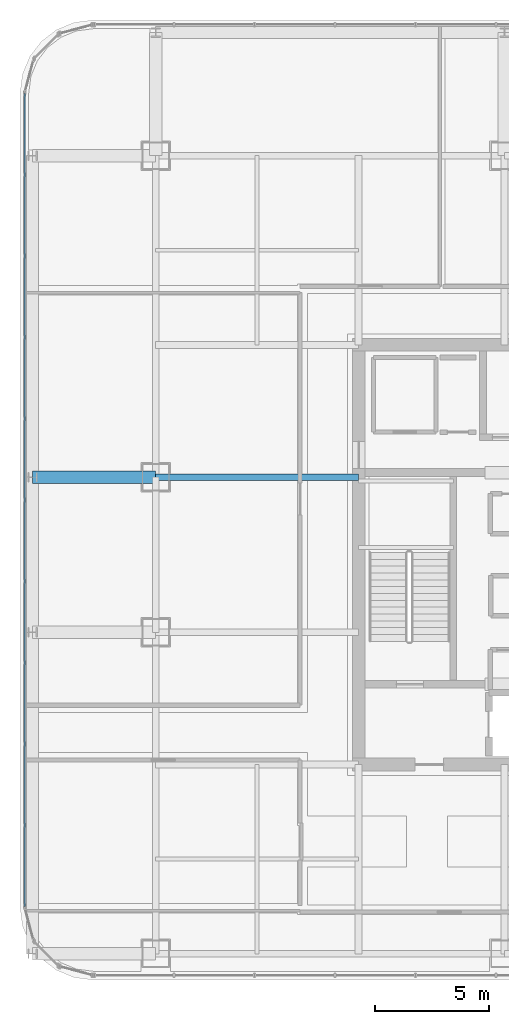
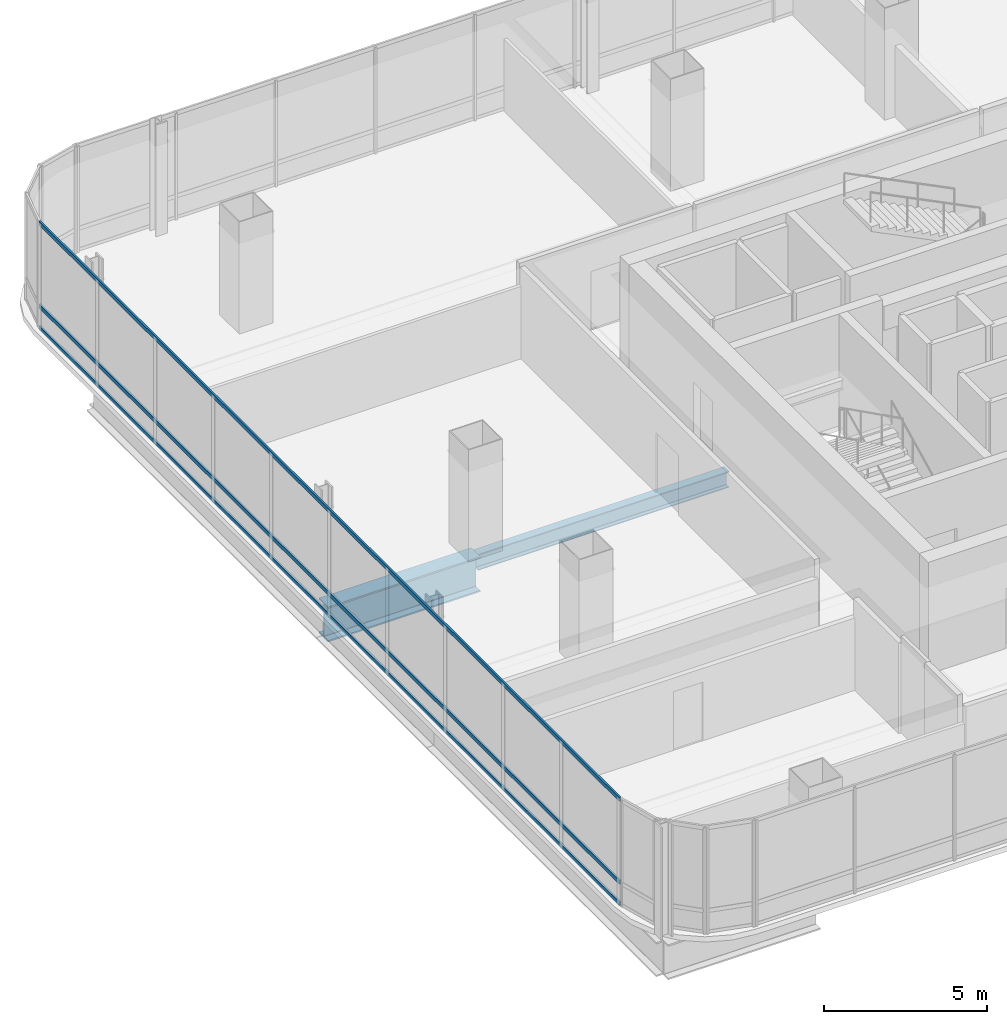
# One storey, part 12 of 41: 3 members, 2 beams, 1 element without a shape of its own.
"""IFC4 building model written with IfcOpenShell, lengths in metres."""

from ifc_helpers import new_model, si_unit, direction, frame, origin, origin_2d, place, context, subcontext, project, spatial, hollow_rectangle, i_section, extrude, material, material_profile, profile_set, type_object, element, aggregate, save


model = new_model("IFC4")

# Units and contexts
model_context = context("Model", 3, precision=1e-05, world=origin(), true_north=direction((0.0, 1.0)))
body_context = subcontext(model_context, "Body", "Model", "MODEL_VIEW")
ifc_project = project(units=[si_unit("LENGTHUNIT", "METRE"), si_unit("AREAUNIT", "SQUARE_METRE"), si_unit("VOLUMEUNIT", "CUBIC_METRE"), si_unit("PLANEANGLEUNIT", "RADIAN"), si_unit("MASSUNIT", "GRAM", prefix="KILO")], contexts=[model_context])

# Site, building, storey
site_placement = place(None, origin())
site = spatial("IfcSite", under=ifc_project, at=site_placement, CompositionType="ELEMENT")
building_placement = place(site_placement, origin())
building = spatial("IfcBuilding", under=site, at=building_placement, Name="Punatoya Terracotta Tower", CompositionType="ELEMENT")
storey_placement = place(building_placement, frame((0.0, 0.0, 288.0)))
storey = spatial("IfcBuildingStorey", under=building, at=storey_placement, Name="L68", CompositionType="ELEMENT", Elevation=288.0)

# Beams
ifc_material_1 = material(Name="Steel S355", Category="steel")
ifc_material_profile_1 = material_profile(ifc_material_1, i_section(OverallWidth=0.300048828125, OverallDepth=0.60009765625, WebThickness=0.015380859375, FlangeThickness=0.030029296875, FilletRadius=0.01806640625, at=origin_2d()))
ifc_profile_set_1 = profile_set([ifc_material_profile_1], Name="Steel S355")
beam_type_1 = type_object("IfcBeamType", Name="BM-PRI-600", PredefinedType="BEAM", material=ifc_profile_set_1)
beam_1_placement = place(storey_placement, frame((-19.10009765625, 3.39990234375, -0.5), z_axis=(1.0, 0.0, 0.0), x_axis=(0.0, 1.0, 0.0)))
element("IfcBeam", 1, at=beam_1_placement, inside=storey, type_object=beam_type_1, Name="BM-L68-PR-WE", PredefinedType="BEAM", context=body_context, shape_type="SweptSolid", body=[
    extrude(i_section(OverallWidth=0.300048828125, OverallDepth=0.60009765625, WebThickness=0.015380859375, FlangeThickness=0.030029296875, FilletRadius=0.01806640625, at=origin_2d()), origin(), (0.0, 0.0, 1.0), 8.900146484375),
])
ifc_material_2 = material(Name="Steel S460", Category="steel")
ifc_material_profile_2 = material_profile(ifc_material_2, i_section(OverallWidth=0.56005859375, OverallDepth=1.320068359375, WebThickness=0.035888671875, FlangeThickness=0.054931640625, FilletRadius=0.01806640625, at=origin_2d()))
ifc_profile_set_2 = profile_set([ifc_material_profile_2], Name="Steel S460")
beam_type_2 = type_object("IfcBeamType", Name="BM-TG-BLK", PredefinedType="BEAM", material=ifc_profile_set_2)
beam_2_placement = place(storey_placement, frame((-24.5, 3.39990234375, -0.860107421875), z_axis=(1.0, 0.0, 0.0), x_axis=(0.0, 1.0, 0.0)))
element("IfcBeam", 2, at=beam_2_placement, inside=storey, type_object=beam_type_2, Name="BM-L68-CANT-W3", PredefinedType="BEAM", context=body_context, shape_type="SweptSolid", body=[
    extrude(i_section(OverallWidth=0.56005859375, OverallDepth=1.320068359375, WebThickness=0.035888671875, FlangeThickness=0.054931640625, FilletRadius=0.01806640625, at=origin_2d()), origin(), (0.0, 0.0, 1.0), 5.39990234375),
])

# Curtain wall, members
ifc_material_3 = material(Name="Aluminium 6063-T6 + Double Low-E Glass", Category="aluminium")
curtain_wall_type = type_object("IfcCurtainWallType", Name="CW-M3", PredefinedType="NOTDEFINED", material=ifc_material_3)
curtain_wall_placement = place(storey_placement, origin())
curtain_wall = element("IfcCurtainWall", 3, at=curtain_wall_placement, inside=storey, type_object=curtain_wall_type, Name="L68 Curtain Wall CW-L68-W13-1", PredefinedType="NOTDEFINED")
ifc_material_4 = material(Name="Aluminium 6063-T6", Category="aluminium")
ifc_material_profile_3 = material_profile(ifc_material_4, hollow_rectangle(XDim=0.068115234375, YDim=0.14990234375, WallThickness=0.00390625, at=origin_2d()))
ifc_profile_set_3 = profile_set([ifc_material_profile_3], Name="Aluminium 6063-T6")
member_type = type_object("IfcMemberType", Name="CW-TRN-TYP", PredefinedType="USERDEFINED", material=ifc_profile_set_3)
member_1_placement = place(storey_placement, frame((-24.85009765625, 20.23681640625, 0.0400390625), z_axis=(0.0, -1.0, 0.0), x_axis=(1.0, 0.0, 0.0)))
member_1 = element("IfcMember", 4, at=member_1_placement, type_object=member_type, Name="CW-L68-W13-1 Transom 1", ObjectType="TRANSOM", PredefinedType="USERDEFINED", context=body_context, shape_type="SweptSolid", body=[
    extrude(hollow_rectangle(XDim=0.068115234375, YDim=0.14990234375, WallThickness=0.00390625, at=origin_2d()), origin(), (0.0, 0.0, 1.0), 35.673828125),
])
member_2_placement = place(storey_placement, frame((-24.85009765625, 20.23681640625, 0.85009765625), z_axis=(0.0, -1.0, 0.0), x_axis=(1.0, 0.0, 0.0)))
member_2 = element("IfcMember", 5, at=member_2_placement, type_object=member_type, Name="CW-L68-W13-1 Transom 2", ObjectType="TRANSOM", PredefinedType="USERDEFINED", context=body_context, shape_type="SweptSolid", body=[
    extrude(hollow_rectangle(XDim=0.068115234375, YDim=0.14990234375, WallThickness=0.00390625, at=origin_2d()), origin(), (0.0, 0.0, 1.0), 35.673828125),
])
member_3_placement = place(storey_placement, frame((-24.85009765625, 20.23681640625, 3.9599609375), z_axis=(0.0, -1.0, 0.0), x_axis=(1.0, 0.0, 0.0)))
member_3 = element("IfcMember", 6, at=member_3_placement, type_object=member_type, Name="CW-L68-W13-1 Transom 3", ObjectType="TRANSOM", PredefinedType="USERDEFINED", context=body_context, shape_type="SweptSolid", body=[
    extrude(hollow_rectangle(XDim=0.068115234375, YDim=0.14990234375, WallThickness=0.00390625, at=origin_2d()), origin(), (0.0, 0.0, 1.0), 35.673828125),
])
aggregate(curtain_wall, [member_1, member_2, member_3])

save(model, "model.ifc")
